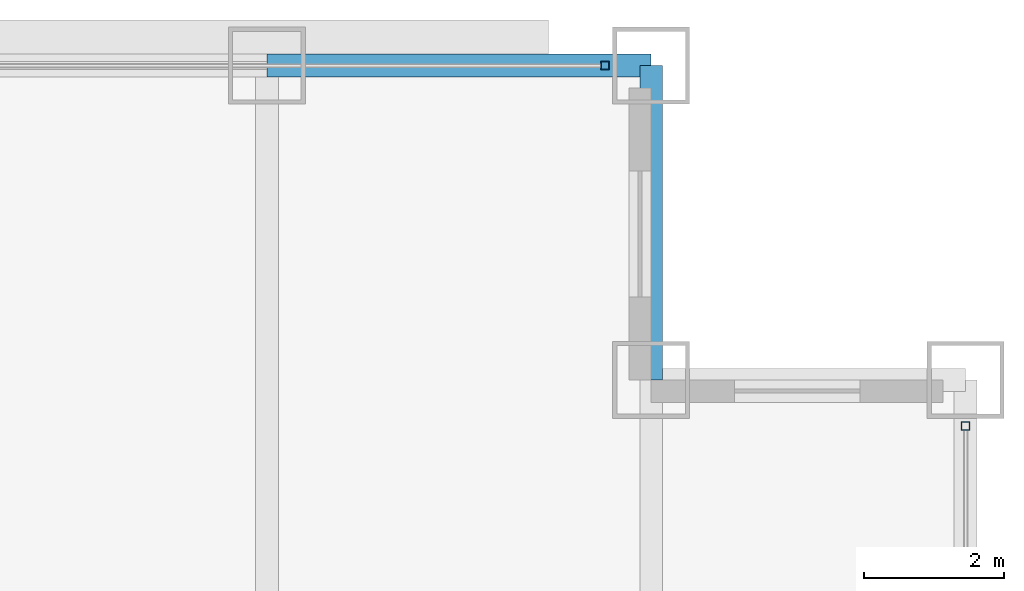
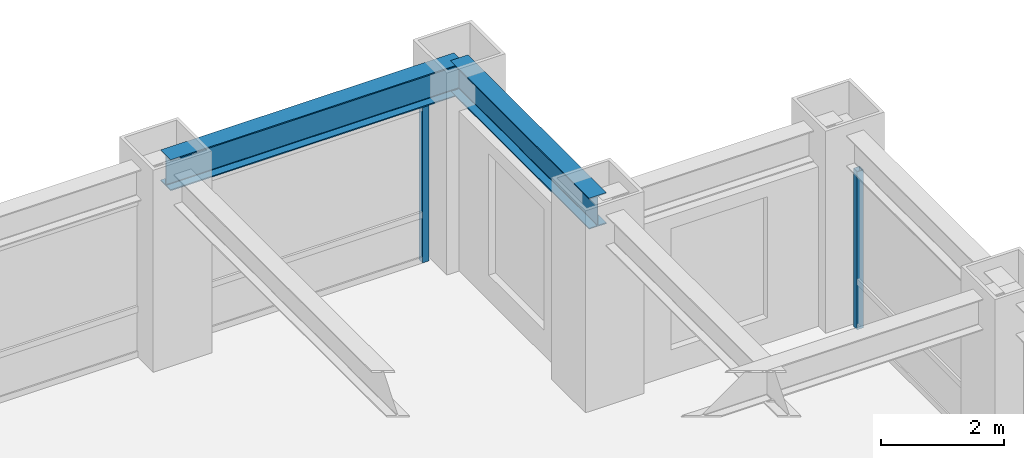
# One storey, part 18 of 28: 2 beams, 2 members, 2 elements without a shape of their own.
"""IFC4 building model written with IfcOpenShell, lengths in metres."""

from ifc_helpers import new_model, si_unit, direction, frame, origin, origin_2d, place, context, subcontext, project, spatial, hollow_rectangle, i_section, extrude, source, transform, mapped, material, material_profile, profile_set, type_object, element, aggregate, save


model = new_model("IFC4")

# Units and contexts
model_context = context("Model", 3, precision=1e-05, world=origin(), true_north=direction((0.0, 1.0)))
body_context = subcontext(model_context, "Body", "Model", "MODEL_VIEW")
ifc_project = project(units=[si_unit("LENGTHUNIT", "METRE"), si_unit("AREAUNIT", "SQUARE_METRE"), si_unit("VOLUMEUNIT", "CUBIC_METRE"), si_unit("PLANEANGLEUNIT", "RADIAN"), si_unit("MASSUNIT", "GRAM", prefix="KILO")], contexts=[model_context])

# Site, building, storey
site_placement = place(None, origin())
site = spatial("IfcSite", under=ifc_project, at=site_placement, CompositionType="ELEMENT")
building_placement = place(site_placement, origin())
building = spatial("IfcBuilding", under=site, at=building_placement, Name="Khorayat Bourse Tower", CompositionType="ELEMENT")
storey_placement = place(building_placement, frame((0.0, 0.0, 187.10009765625)))
storey = spatial("IfcBuildingStorey", under=building, at=storey_placement, Name="L43", CompositionType="ELEMENT", Elevation=187.10009765625)

# Beams
ifc_material_1 = material(Name="Steel ASTM A992 Grade 50", Category="steel")
ifc_material_profile_1 = material_profile(ifc_material_1, i_section(OverallWidth=0.324951171875, OverallDepth=0.615966796875, WebThickness=0.013916015625, FlangeThickness=0.021484375, FilletRadius=0.01611328125, at=origin_2d()), Name="W610X174")
ifc_profile_set_1 = profile_set([ifc_material_profile_1], Name="Steel ASTM A992 Grade 50")
beam_type = type_object("IfcBeamType", Name="BM-SPAN-610", PredefinedType="SPANDREL", material=ifc_profile_set_1)
shared_shape_1 = source(origin(), body_context, "Body", "SweptSolid", [
    extrude(i_section(OverallWidth=0.324951171875, OverallDepth=0.615966796875, WebThickness=0.013916015625, FlangeThickness=0.021484375, FilletRadius=0.01611328125, at=origin_2d()), origin(), (0.0, 0.0, 1.0), 5.5),
])
beam_1_placement = place(storey_placement, frame((20.0, 30.0, 3.471923828125), z_axis=(1.0, 0.0, 0.0), x_axis=(0.0, 1.0, 0.0)))
element("IfcBeam", 1, at=beam_1_placement, inside=storey, type_object=beam_type, Name="L43 BM-SPAN-610 BM-L43-SPN-044", PredefinedType="SPANDREL", context=body_context, shape_type="MappedRepresentation", body=[
    mapped(shared_shape_1, transform((0.0, 0.0, 0.0), scale=1.0)),
])
shared_shape_2 = source(origin(), body_context, "Body", "SweptSolid", [
    extrude(i_section(OverallWidth=0.324951171875, OverallDepth=0.615966796875, WebThickness=0.013916015625, FlangeThickness=0.021484375, FilletRadius=0.01611328125, at=origin_2d()), origin(), (0.0, 0.0, 1.0), 4.5),
])
beam_2_placement = place(storey_placement, frame((25.5, 25.5, 3.471923828125), z_axis=(0.0, 1.0, 0.0), x_axis=(-1.0, 0.0, 0.0)))
element("IfcBeam", 2, at=beam_2_placement, inside=storey, type_object=beam_type, Name="L43 BM-SPAN-610 BM-L43-SPN-043", PredefinedType="SPANDREL", context=body_context, shape_type="MappedRepresentation", body=[
    mapped(shared_shape_2, transform((0.0, 0.0, 0.0), scale=1.0)),
])

# Curtain wall, member
ifc_material_2 = material(Name="Aluminium EN AW-6063 T6", Category="aluminium")
curtain_wall_type = type_object("IfcCurtainWallType", Name="CW-SYS-03", PredefinedType="NOTDEFINED", material=ifc_material_2)
curtain_wall_1_placement = place(storey_placement, origin())
curtain_wall_1 = element("IfcCurtainWall", 3, at=curtain_wall_1_placement, inside=storey, type_object=curtain_wall_type, Name="L43 Curtain Wall CW-L43-N1", PredefinedType="NOTDEFINED")
ifc_material_profile_2 = material_profile(ifc_material_2, hollow_rectangle(XDim=0.1201171875, YDim=0.1201171875, WallThickness=0.0048828125, at=origin_2d()), Name="ALU 120x120x5")
ifc_profile_set_2 = profile_set([ifc_material_profile_2], Name="Aluminium EN AW-6063 T6")
member_type = type_object("IfcMemberType", Name="CWM-VERT-120", PredefinedType="MULLION", material=ifc_profile_set_2)
shared_shape_3 = source(origin(), body_context, "Body", "SweptSolid", [
    extrude(hollow_rectangle(XDim=0.1201171875, YDim=0.1201171875, WallThickness=0.0048828125, at=origin_2d()), origin(), (0.0, 0.0, 1.0), 3.1298828125),
])
member_1_placement = place(storey_placement, frame((24.840087890625, 30.0, 0.0), z_axis=(0.0, 0.0, 1.0), x_axis=(0.0, 1.0, 0.0)))
member_1 = element("IfcMember", 4, at=member_1_placement, type_object=member_type, Name="CW-L43-N1 Vertical Mullion 3", PredefinedType="MULLION", context=body_context, shape_type="MappedRepresentation", body=[
    mapped(shared_shape_3, transform((0.0, 0.0, 0.0), scale=1.0)),
])
aggregate(curtain_wall_1, [member_1])

curtain_wall_2_placement = place(storey_placement, origin())
curtain_wall_2 = element("IfcCurtainWall", 5, at=curtain_wall_2_placement, inside=storey, type_object=curtain_wall_type, Name="L43 Curtain Wall CW-L43-E1", PredefinedType="NOTDEFINED")
member_2_placement = place(storey_placement, frame((30.0, 24.840087890625, 0.0), z_axis=(0.0, 0.0, 1.0), x_axis=(-1.0, 0.0, 0.0)))
member_2 = element("IfcMember", 6, at=member_2_placement, type_object=member_type, Name="CW-L43-E1 Vertical Mullion 3", PredefinedType="MULLION", context=body_context, shape_type="MappedRepresentation", body=[
    mapped(shared_shape_3, transform((0.0, 0.0, 0.0), scale=1.0)),
])
aggregate(curtain_wall_2, [member_2])

save(model, "model.ifc")
